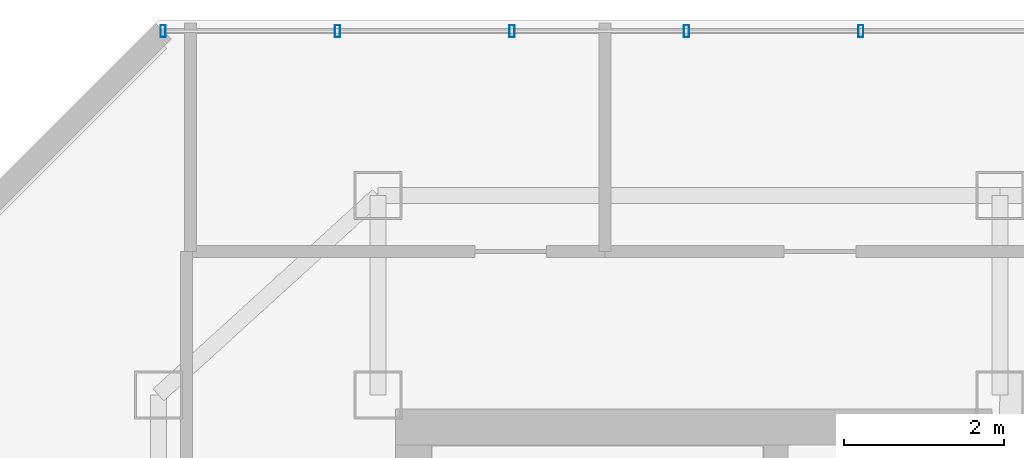
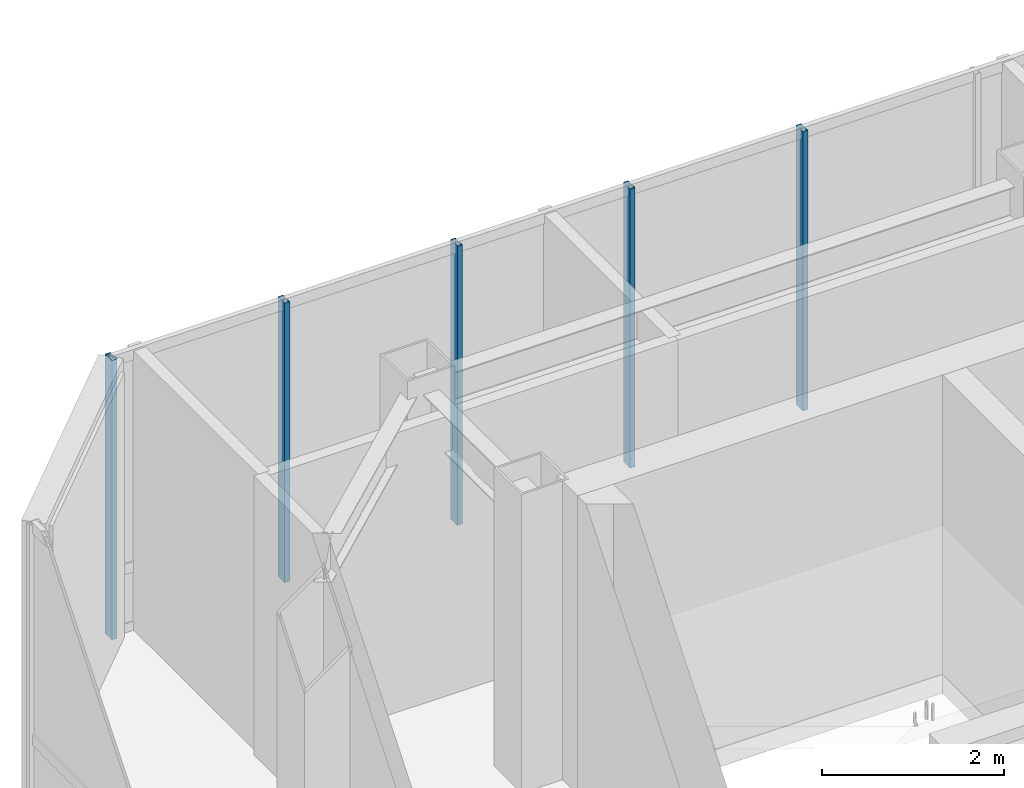
# One storey, part 21 of 29: 5 members, 1 element without a shape of its own.
"""IFC4 building model written with IfcOpenShell, lengths in metres."""

from ifc_helpers import new_model, si_unit, direction, frame, origin, origin_2d, place, context, subcontext, project, spatial, hollow_rectangle, extrude, material, layer, layer_set, material_profile, profile_set, type_object, element, aggregate, save


model = new_model("IFC4")

# Units and contexts
model_context = context("Model", 3, precision=1e-05, world=origin(), true_north=direction((0.0, 1.0)))
body_context = subcontext(model_context, "Body", "Model", "MODEL_VIEW")
ifc_project = project(units=[si_unit("LENGTHUNIT", "METRE"), si_unit("AREAUNIT", "SQUARE_METRE"), si_unit("VOLUMEUNIT", "CUBIC_METRE"), si_unit("PLANEANGLEUNIT", "RADIAN"), si_unit("MASSUNIT", "GRAM", prefix="KILO")], contexts=[model_context])

# Site, building, storey
site_placement = place(None, origin())
site = spatial("IfcSite", under=ifc_project, at=site_placement, CompositionType="ELEMENT")
building_placement = place(site_placement, origin())
building = spatial("IfcBuilding", under=site, at=building_placement, Name="Hatsunagi Terrace Concourse", CompositionType="ELEMENT")
storey_placement = place(building_placement, frame((0.0, 0.0, 277.949951171875)))
storey = spatial("IfcBuildingStorey", under=building, at=storey_placement, Name="L73", CompositionType="ELEMENT", Elevation=277.949951171875)

# Curtain wall, members
ifc_material_1 = material(Name="Anodised Aluminium Alloy 6063-T5", Category="aluminium")
ifc_layer = layer(ifc_material_1, 0.199951171875)
ifc_layer_set = layer_set([ifc_layer], Name="CrownWintergarden_CW06")
curtain_wall_type = type_object("IfcCurtainWallType", Name="CrownWintergarden_CW06", PredefinedType="NOTDEFINED", material=ifc_layer_set)
curtain_wall_placement = place(storey_placement, origin())
curtain_wall = element("IfcCurtainWall", 1, at=curtain_wall_placement, inside=storey, type_object=curtain_wall_type, Name="Unitised Curtain Wall CW-06 CW-L73-09", PredefinedType="NOTDEFINED")
ifc_material_2 = material(Name="Anodised Aluminium Alloy 6063-T5", Category="aluminium")
ifc_material_profile = material_profile(ifc_material_2, hollow_rectangle(XDim=0.06494140625, YDim=0.14990234375, WallThickness=0.00390625, at=origin_2d()), Name="ALU-MUL-150x65x4")
ifc_profile_set = profile_set([ifc_material_profile], Name="Anodised Aluminium Alloy 6063-T5")
member_type = type_object("IfcMemberType", Name="CurtainWallMullion_Crown_150x65", PredefinedType="MULLION", material=ifc_profile_set)
member_1_placement = place(storey_placement, frame((22.85791015625, 47.860107421875, 0.0), z_axis=(0.0, 0.0, 1.0), x_axis=(1.0, 0.0, 0.0)))
member_1 = element("IfcMember", 2, at=member_1_placement, type_object=member_type, Name="Curtain Wall Mullion MUL-03", PredefinedType="MULLION", context=body_context, shape_type="SweptSolid", body=[
    extrude(hollow_rectangle(XDim=0.06494140625, YDim=0.14990234375, WallThickness=0.00390625, at=origin_2d()), origin(), (0.0, 0.0, 1.0), 3.739990234375),
])
member_2_placement = place(storey_placement, frame((25.044921875, 47.860107421875, 0.0), z_axis=(0.0, 0.0, 1.0), x_axis=(1.0, 0.0, 0.0)))
member_2 = element("IfcMember", 3, at=member_2_placement, type_object=member_type, Name="Curtain Wall Mullion MUL-03", PredefinedType="MULLION", context=body_context, shape_type="SweptSolid", body=[
    extrude(hollow_rectangle(XDim=0.06494140625, YDim=0.14990234375, WallThickness=0.00390625, at=origin_2d()), origin(), (0.0, 0.0, 1.0), 3.739990234375),
])
member_3_placement = place(storey_placement, frame((27.23193359375, 47.860107421875, 0.0), z_axis=(0.0, 0.0, 1.0), x_axis=(1.0, 0.0, 0.0)))
member_3 = element("IfcMember", 4, at=member_3_placement, type_object=member_type, Name="Curtain Wall Mullion MUL-03", PredefinedType="MULLION", context=body_context, shape_type="SweptSolid", body=[
    extrude(hollow_rectangle(XDim=0.06494140625, YDim=0.14990234375, WallThickness=0.00390625, at=origin_2d()), origin(), (0.0, 0.0, 1.0), 3.739990234375),
])
member_4_placement = place(storey_placement, frame((29.4189453125, 47.860107421875, 0.0), z_axis=(0.0, 0.0, 1.0), x_axis=(1.0, 0.0, 0.0)))
member_4 = element("IfcMember", 5, at=member_4_placement, type_object=member_type, Name="Curtain Wall Mullion MUL-03", PredefinedType="MULLION", context=body_context, shape_type="SweptSolid", body=[
    extrude(hollow_rectangle(XDim=0.06494140625, YDim=0.14990234375, WallThickness=0.00390625, at=origin_2d()), origin(), (0.0, 0.0, 1.0), 3.739990234375),
])
member_5_placement = place(storey_placement, frame((31.60595703125, 47.860107421875, 0.0), z_axis=(0.0, 0.0, 1.0), x_axis=(1.0, 0.0, 0.0)))
member_5 = element("IfcMember", 6, at=member_5_placement, type_object=member_type, Name="Curtain Wall Mullion MUL-03", PredefinedType="MULLION", context=body_context, shape_type="SweptSolid", body=[
    extrude(hollow_rectangle(XDim=0.06494140625, YDim=0.14990234375, WallThickness=0.00390625, at=origin_2d()), origin(), (0.0, 0.0, 1.0), 3.739990234375),
])
aggregate(curtain_wall, [member_1, member_2, member_3, member_4, member_5])

save(model, "model.ifc")
